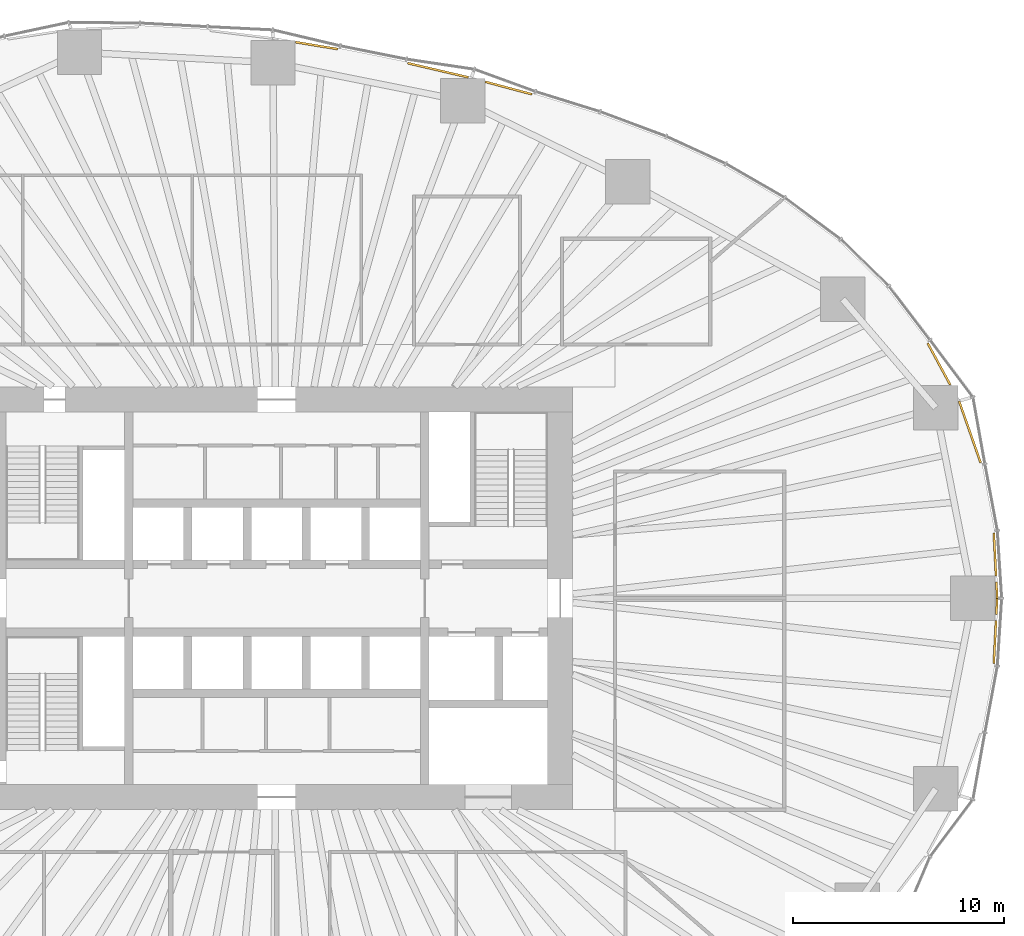
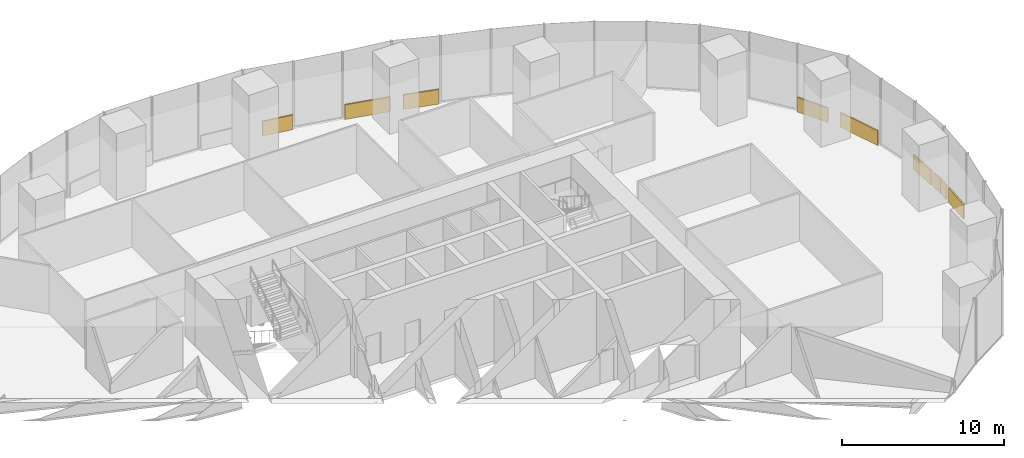
# One storey, part 20 of 20: 9 coverings.
"""IFC4 building model written with IfcOpenShell, lengths in metres."""

from ifc_helpers import new_model, si_unit, direction, frame, origin, origin_2d, place, context, subcontext, project, spatial, rectangle, extrude, material, layer, layer_set, type_object, element, save


model = new_model("IFC4")

# Units and contexts
model_context = context("Model", 3, precision=1e-05, world=origin(), true_north=direction((0.0, 1.0)))
body_context = subcontext(model_context, "Body", "Model", "MODEL_VIEW")
ifc_project = project(units=[si_unit("LENGTHUNIT", "METRE"), si_unit("AREAUNIT", "SQUARE_METRE"), si_unit("VOLUMEUNIT", "CUBIC_METRE"), si_unit("PLANEANGLEUNIT", "RADIAN"), si_unit("MASSUNIT", "GRAM", prefix="KILO")], contexts=[model_context])

# Site, building, storey
site_placement = place(None, origin())
site = spatial("IfcSite", under=ifc_project, at=site_placement, CompositionType="ELEMENT")
building_placement = place(site_placement, origin())
building = spatial("IfcBuilding", under=site, at=building_placement, Name="Ghaith Harvest Tower", CompositionType="ELEMENT")
storey_placement = place(building_placement, frame((0.0, 0.0, 30.0)))
storey = spatial("IfcBuildingStorey", under=building, at=storey_placement, Name="L06", CompositionType="ELEMENT", Elevation=30.0)

# Coverings
ifc_material = material(Name="Insulated aluminium spandrel panel on steel framing", Category="steel")
ifc_layer = layer(ifc_material, 0.10009765625)
ifc_layer_set = layer_set([ifc_layer], Name="SLAB EDGE UPSTAND 1100x100")
covering_type = type_object("IfcCoveringType", Name="SLAB EDGE UPSTAND 1100x100", PredefinedType="CLADDING", material=ifc_layer_set)
covering_1_placement = place(storey_placement, frame((34.054931640625, 0.38232421875, 0.0), z_axis=(0.0, 0.0, 1.0), x_axis=(-0.052048501689, 0.998644558125, 0.0)))
element("IfcCovering", 1, at=covering_1_placement, inside=storey, type_object=covering_type, Name="Slab edge upstand 1 bay 01 L06", PredefinedType="CLADDING", context=body_context, shape_type="SweptSolid", body=[
    extrude(rectangle(XDim=0.77099609375, YDim=0.10009765625, at=origin_2d()), origin(), (0.0, 0.0, 1.0), 1.10009765625),
])
covering_2_placement = place(storey_placement, frame((33.966796875, 2.0771484375, 0.0), z_axis=(0.0, 0.0, 1.0), x_axis=(-0.052048501689, 0.998644558125, 0.0)))
element("IfcCovering", 2, at=covering_2_placement, inside=storey, type_object=covering_type, Name="Slab edge upstand 1 bay 01 L06", PredefinedType="CLADDING", context=body_context, shape_type="SweptSolid", body=[
    extrude(rectangle(XDim=2.03173828125, YDim=0.10009765625, at=origin_2d()), origin(), (0.0, 0.0, 1.0), 1.10009765625),
])
covering_3_placement = place(storey_placement, frame((32.7822265625, 7.865234375, 0.0), z_axis=(0.0, 0.0, 1.0), x_axis=(-0.330597697022, 0.943771774702, 0.0)))
element("IfcCovering", 3, at=covering_3_placement, inside=storey, type_object=covering_type, Name="Slab edge upstand 3 bay 01 L06", PredefinedType="CLADDING", context=body_context, shape_type="SweptSolid", body=[
    extrude(rectangle(XDim=3.080078125, YDim=0.10009765625, at=origin_2d()), origin(), (0.0, 0.0, 1.0), 1.10009765625),
])
covering_4_placement = place(storey_placement, frame((31.32177734375, 11.075439453125, 0.0), z_axis=(0.0, 0.0, 1.0), x_axis=(-0.476349292539, 0.87925613532, 0.0)))
element("IfcCovering", 4, at=covering_4_placement, inside=storey, type_object=covering_type, Name="Slab edge upstand 1 bay 02 L06", PredefinedType="CLADDING", context=body_context, shape_type="SweptSolid", body=[
    extrude(rectangle(XDim=2.237548828125, YDim=0.10009765625, at=origin_2d()), origin(), (0.0, 0.0, 1.0), 1.10009765625),
])
covering_5_placement = place(storey_placement, frame((10.968994140625, 24.1298828125, 0.0), z_axis=(0.0, 0.0, 1.0), x_axis=(-0.9660243418, 0.258451099919, 0.0)))
element("IfcCovering", 5, at=covering_5_placement, inside=storey, type_object=covering_type, Name="Slab edge upstand 3 bay 04 L06", PredefinedType="CLADDING", context=body_context, shape_type="SweptSolid", body=[
    extrude(rectangle(XDim=2.27978515625, YDim=0.10009765625, at=origin_2d()), origin(), (0.0, 0.0, 1.0), 1.10009765625),
])
covering_6_placement = place(storey_placement, frame((7.627685546875, 24.971435546875, 0.0), z_axis=(0.0, 0.0, 1.0), x_axis=(-0.973634089594, 0.228115452305, 0.0)))
element("IfcCovering", 6, at=covering_6_placement, inside=storey, type_object=covering_type, Name="Slab edge upstand 1 bay 05 L06", PredefinedType="CLADDING", context=body_context, shape_type="SweptSolid", body=[
    extrude(rectangle(XDim=2.943359375, YDim=0.10009765625, at=origin_2d()), origin(), (0.0, 0.0, 1.0), 1.10009765625),
])
covering_7_placement = place(storey_placement, frame((1.891845703125, 26.135009765625, 0.0), z_axis=(0.0, 0.0, 1.0), x_axis=(-0.986716247541, 0.162453214305, 0.0)))
element("IfcCovering", 7, at=covering_7_placement, inside=storey, type_object=covering_type, Name="Slab edge upstand 3 bay 05 L06", PredefinedType="CLADDING", context=body_context, shape_type="SweptSolid", body=[
    extrude(rectangle(XDim=2.0205078125, YDim=0.10009765625, at=origin_2d()), origin(), (0.0, 0.0, 1.0), 1.10009765625),
])
covering_8_placement = place(storey_placement, frame((33.966796875, -2.0771484375, 0.0), z_axis=(0.0, 0.0, 1.0), x_axis=(0.052048501794, 0.998644558119, 0.0)))
element("IfcCovering", 8, at=covering_8_placement, inside=storey, type_object=covering_type, Name="Slab edge upstand 3 bay 20 L06", PredefinedType="CLADDING", context=body_context, shape_type="SweptSolid", body=[
    extrude(rectangle(XDim=2.03173828125, YDim=0.10009765625, at=origin_2d()), origin(), (0.0, 0.0, 1.0), 1.10009765625),
])
covering_9_placement = place(storey_placement, frame((34.054931640625, -0.38232421875, 0.0), z_axis=(0.0, 0.0, 1.0), x_axis=(0.052048501794, 0.998644558119, 0.0)))
element("IfcCovering", 9, at=covering_9_placement, inside=storey, type_object=covering_type, Name="Slab edge upstand 3 bay 20 L06", PredefinedType="CLADDING", context=body_context, shape_type="SweptSolid", body=[
    extrude(rectangle(XDim=0.77099609375, YDim=0.10009765625, at=origin_2d()), origin(), (0.0, 0.0, 1.0), 1.10009765625),
])

save(model, "model.ifc")
